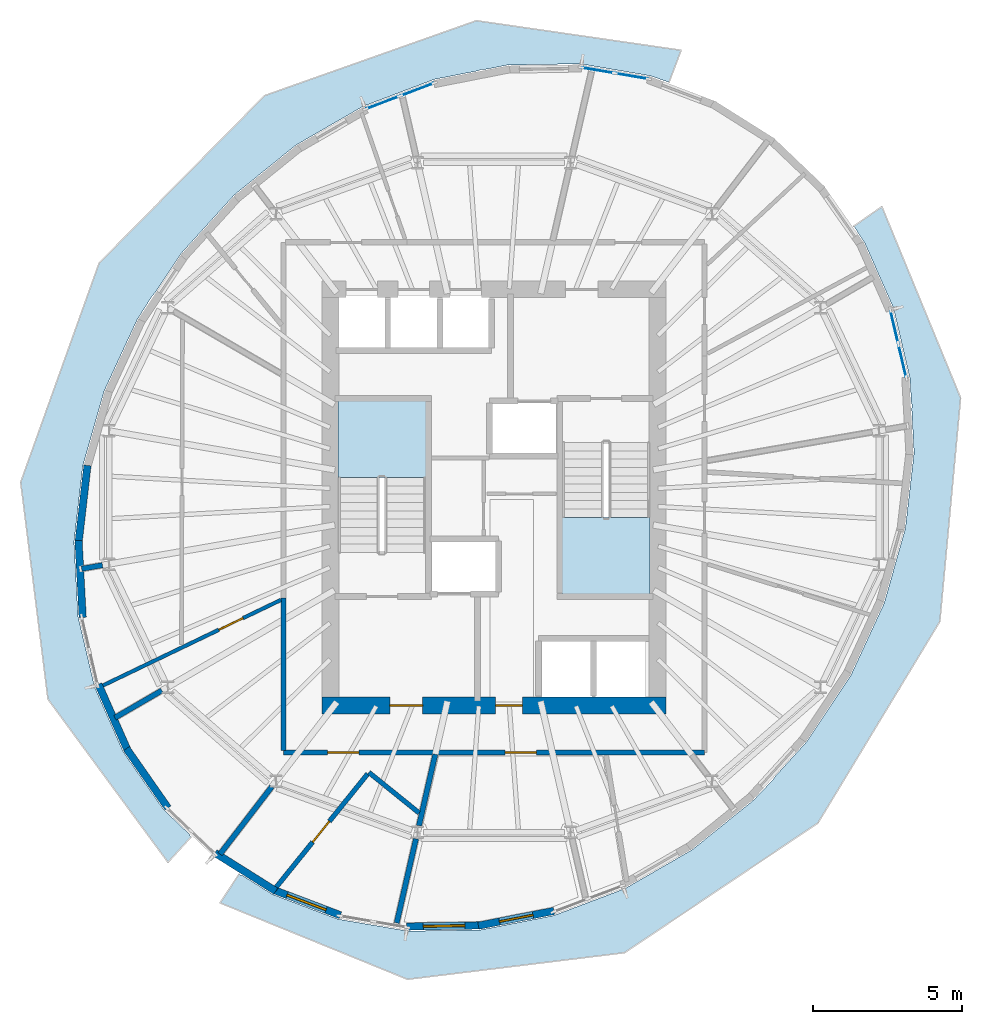
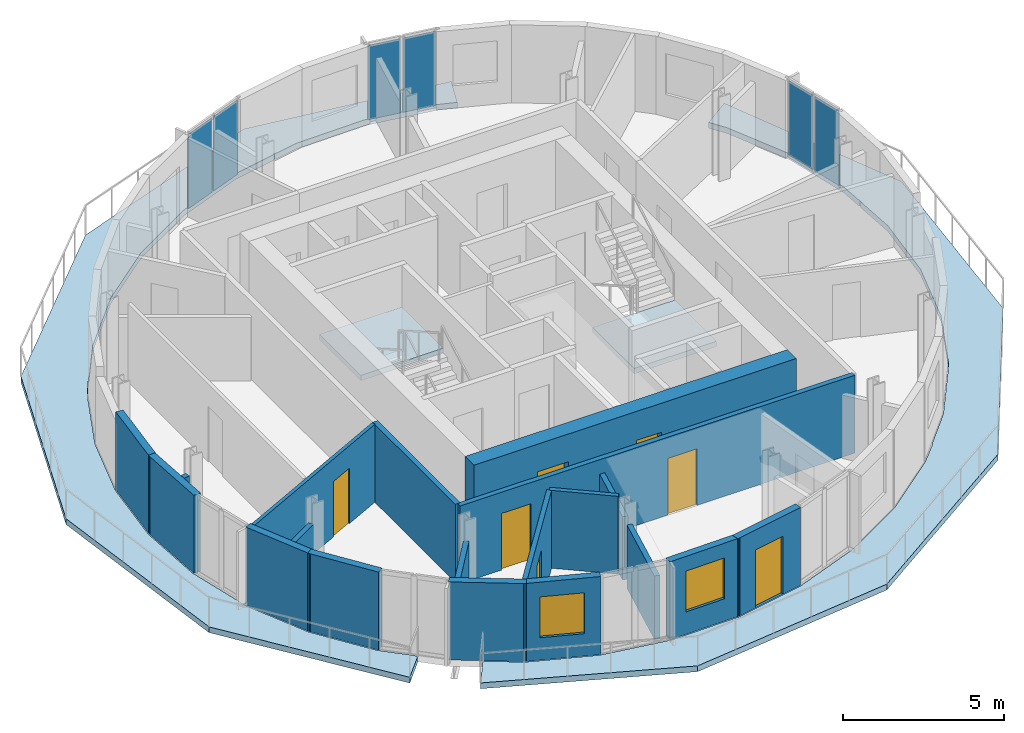
# One storey, part 4 of 11: 19 walls, 7 doors, 6 plates, 4 slabs, 2 windows, 9 openings, 5 elements without a shape of their own.
"""IFC4 building model written with IfcOpenShell, lengths in metres."""

from ifc_helpers import new_model, si_unit, direction, frame, frame_2d, origin, origin_2d, place, context, subcontext, project, spatial, polyline, rectangle, outline, extrude, material, layer, layer_set, type_object, element, fill, aggregate, save


model = new_model("IFC4")

# Units and contexts
model_context = context("Model", 3, precision=1e-05, world=origin(), true_north=direction((0.0, 1.0)))
body_context = subcontext(model_context, "Body", "Model", "MODEL_VIEW")
ifc_project = project(units=[si_unit("LENGTHUNIT", "METRE"), si_unit("AREAUNIT", "SQUARE_METRE"), si_unit("VOLUMEUNIT", "CUBIC_METRE"), si_unit("PLANEANGLEUNIT", "RADIAN"), si_unit("MASSUNIT", "GRAM", prefix="KILO")], contexts=[model_context])

# Site, building, storey
site_placement = place(None, origin())
site = spatial("IfcSite", under=ifc_project, at=site_placement, CompositionType="ELEMENT")
building_placement = place(site_placement, origin())
building = spatial("IfcBuilding", under=site, at=building_placement, Name="Veldorim Arch Residences", CompositionType="ELEMENT")
storey_placement = place(building_placement, frame((0.0, 0.0, 207.840087890625)))
storey = spatial("IfcBuildingStorey", under=building, at=storey_placement, Name="L62", CompositionType="ELEMENT", Elevation=207.840087890625)

# Slabs
ifc_material_1 = material(Name="Concrete C40/50", Category="concrete")
ifc_layer_1 = layer(ifc_material_1, 0.219970703125, Name="Planted Crescent Cantilever Balcony Slab 220")
ifc_layer_set_1 = layer_set([ifc_layer_1], Name="Concrete C40/50")
slab_type_1 = type_object("IfcSlabType", Name="Planted Crescent Cantilever Balcony Slab 220", PredefinedType="FLOOR", material=ifc_layer_set_1)
slab_1_placement = place(storey_placement, frame((0.0, 0.0, -0.219970703125)))
element("IfcSlab", 1, at=slab_1_placement, inside=storey, type_object=slab_type_1, Name="L62 planted crescent balcony slab A", PredefinedType="FLOOR", context=body_context, shape_type="SweptSolid", body=[
    extrude(outline(polyline([(37.8857421875, 37.966064453125), (37.260009765625, 38.1806640625), (34.901611328125, 38.584228515625), (32.45556640625, 38.544921875), (31.6669921875, 38.390380859375), (31.571044921875, 38.39697265625), (31.454345703125, 38.348876953125), (29.99560546875, 38.063232421875), (27.596923828125, 37.15478515625), (25.331787109375, 35.846435546875), (23.26953125, 34.178466796875), (21.472412109375, 32.201416015625), (20.592529296875, 30.87548828125), (20.508056640625, 30.787353515625), (19.9951171875, 29.97509765625), (18.88232421875, 27.5673828125), (18.16796875, 25.051513671875), (17.87353515625, 22.503173828125), (18.008544921875, 20.000244140625), (18.568603515625, 17.61865234375), (19.537109375, 15.430908203125), (20.88427734375, 13.503173828125), (21.73681640625, 12.689208984375), (21.806396484375, 12.578369140625), (21.0322265625, 11.72802734375), (16.9970703125, 17.212646484375), (16.078369140625, 24.511962890625), (18.7177734375, 31.88525390625), (24.284912109375, 37.517333984375), (31.40771484375, 40.03662109375), (38.29248046875, 39.04150390625), (37.8857421875, 37.966064453125)])), origin(), (0.0, 0.0, 1.0), 0.219970703125),
])
slab_2_placement = place(storey_placement, frame((0.0, 0.0, -0.219970703125)))
element("IfcSlab", 2, at=slab_2_placement, inside=storey, type_object=slab_type_1, Name="L62 planted crescent balcony slab B", PredefinedType="FLOOR", context=body_context, shape_type="SweptSolid", body=[
    extrude(outline(polyline([(23.543701171875, 11.28173828125), (24.54150390625, 10.654052734375), (26.739990234375, 9.8193359375), (29.098388671875, 9.415771484375), (31.54443359375, 9.455078125), (34.00439453125, 9.936767578125), (36.403076171875, 10.84521484375), (38.668212890625, 12.153564453125), (40.73046875, 13.821533203125), (41.392333984375, 14.517578125), (41.45703125, 14.620849609375), (42.527587890625, 15.798583984375), (44.0048828125, 18.02490234375), (45.11767578125, 20.4326171875), (45.83203125, 22.948486328125), (46.12646484375, 25.496826171875), (46.04638671875, 26.981201171875), (46.064453125, 27.10595703125), (46.03466796875, 27.197265625), (45.991455078125, 27.999755859375), (45.431396484375, 30.38134765625), (44.462890625, 32.569091796875), (44.101806640625, 33.12353515625), (45.045166015625, 33.781005859375), (47.694091796875, 27.348876953125), (46.993896484375, 19.826171875), (42.894775390625, 13.05029296875), (36.391357421875, 8.6875), (29.089111328125, 7.79248046875), (22.783935546875, 10.36328125), (23.4189453125, 11.322021484375), (23.543701171875, 11.28173828125)])), origin(), (0.0, 0.0, 1.0), 0.219970703125),
])

# Stair, slab
ifc_material_2 = material(Name="Concrete C40/50", Category="concrete")
stair_type = type_object("IfcStairType", Name="Reinforced Concrete Dogleg Exit Staircase", PredefinedType="HALF_TURN_STAIR", material=ifc_material_2)
stair_1_placement = place(storey_placement, origin())
stair_1 = element("IfcStair", 3, at=stair_1_placement, inside=storey, type_object=stair_type, Name="L62 Exit Staircase ST-1", PredefinedType="HALF_TURN_STAIR")
ifc_material_3 = material(Name="Concrete C40/50", Category="concrete")
ifc_layer_2 = layer(ifc_material_3, 0.199951171875, Name="Reinforced Concrete Stair Landing 200")
ifc_layer_set_2 = layer_set([ifc_layer_2], Name="Concrete C40/50")
slab_type_2 = type_object("IfcSlabType", Name="Reinforced Concrete Stair Landing 200", PredefinedType="LANDING", material=ifc_layer_set_2)
slab_3_placement = place(storey_placement, frame((0.0, 0.0, 1.39990234375)))
slab_3 = element("IfcSlab", 4, at=slab_3_placement, type_object=slab_type_2, Name="ST-1 landing 1", PredefinedType="LANDING", context=body_context, shape_type="SweptSolid", body=[
    extrude(outline(polyline([(29.7099609375, 24.669921875), (29.7099609375, 27.25), (26.75, 27.25), (26.75, 24.669921875), (29.7099609375, 24.669921875)])), origin(), (0.0, 0.0, 1.0), 0.199951171875),
])
aggregate(stair_1, [slab_3])

stair_2_placement = place(storey_placement, origin())
stair_2 = element("IfcStair", 5, at=stair_2_placement, inside=storey, type_object=stair_type, Name="L62 Exit Staircase ST-2", PredefinedType="HALF_TURN_STAIR")
slab_4_placement = place(storey_placement, frame((0.0, 0.0, 1.39990234375)))
slab_4 = element("IfcSlab", 6, at=slab_4_placement, type_object=slab_type_2, Name="ST-2 landing 1", PredefinedType="LANDING", context=body_context, shape_type="SweptSolid", body=[
    extrude(outline(polyline([(34.2900390625, 23.330078125), (34.2900390625, 20.75), (37.25, 20.75), (37.25, 23.330078125), (34.2900390625, 23.330078125)])), origin(), (0.0, 0.0, 1.0), 0.199951171875),
])
aggregate(stair_2, [slab_4])

# Curtain wall, plates
ifc_material_4 = material(Name="Aluminium", Category="aluminium")
curtain_wall_type = type_object("IfcCurtainWallType", Name="Zone 4 High-Altitude Unitised Curtain Wall", PredefinedType="NOTDEFINED", material=ifc_material_4)
curtain_wall_1_placement = place(storey_placement, origin())
curtain_wall_1 = element("IfcCurtainWall", 7, at=curtain_wall_1_placement, inside=storey, type_object=curtain_wall_type, Name="L62 unitised curtain wall bay 03", PredefinedType="NOTDEFINED")
ifc_material_5 = material(Name="Laminated Low-E Glass", Category="glass")
ifc_layer_3 = layer(ifc_material_5, 0.030029296875, Name="Zone 4 High-Altitude Unitised Curtain Wall Glazing Panel 30")
ifc_layer_set_3 = layer_set([ifc_layer_3], Name="Laminated Low-E Glass")
plate_type = type_object("IfcPlateType", Name="Zone 4 High-Altitude Unitised Curtain Wall Glazing Panel 30", PredefinedType="CURTAIN_PANEL", material=ifc_layer_set_3)
plate_1_placement = place(storey_placement, frame((35.491455078125, 38.36669921875, 0.074951171875), z_axis=(0.0, 0.0, 1.0), x_axis=(0.985662279445, -0.168730171812, 0.0)))
plate_1 = element("IfcPlate", 8, at=plate_1_placement, type_object=plate_type, Name="CW-Z4 panel 1.1", PredefinedType="CURTAIN_PANEL", context=body_context, shape_type="SweptSolid", body=[
    extrude(rectangle(XDim=1.081298828125, YDim=0.030029296875, at=origin_2d()), origin(), (0.0, 0.0, 1.0), 2.81005859375),
])
plate_2_placement = place(storey_placement, frame((36.63134765625, 38.171630859375, 0.074951171875), z_axis=(0.0, 0.0, 1.0), x_axis=(0.985662279445, -0.168730171812, 0.0)))
plate_2 = element("IfcPlate", 9, at=plate_2_placement, type_object=plate_type, Name="CW-Z4 panel 2.1", PredefinedType="CURTAIN_PANEL", context=body_context, shape_type="SweptSolid", body=[
    extrude(rectangle(XDim=1.081298828125, YDim=0.030029296875, at=origin_2d()), origin(), (0.0, 0.0, 1.0), 2.81005859375),
])
aggregate(curtain_wall_1, [plate_1, plate_2])

curtain_wall_2_placement = place(storey_placement, origin())
curtain_wall_2 = element("IfcCurtainWall", 10, at=curtain_wall_2_placement, inside=storey, type_object=curtain_wall_type, Name="L62 unitised curtain wall bay 06", PredefinedType="NOTDEFINED")
plate_3_placement = place(storey_placement, frame((28.255859375, 37.28125, 0.074951171875), z_axis=(0.0, 0.0, 1.0), x_axis=(0.935154153631, 0.354241032275, 0.0)))
plate_3 = element("IfcPlate", 11, at=plate_3_placement, type_object=plate_type, Name="CW-Z4 panel 1.1", PredefinedType="CURTAIN_PANEL", context=body_context, shape_type="SweptSolid", body=[
    extrude(rectangle(XDim=1.16796875, YDim=0.030029296875, at=origin_2d()), origin(), (0.0, 0.0, 1.0), 2.81005859375),
])
plate_4_placement = place(storey_placement, frame((29.418212890625, 37.7216796875, 0.074951171875), z_axis=(0.0, 0.0, 1.0), x_axis=(0.935154153631, 0.354241032275, 0.0)))
plate_4 = element("IfcPlate", 12, at=plate_4_placement, type_object=plate_type, Name="CW-Z4 panel 2.1", PredefinedType="CURTAIN_PANEL", context=body_context, shape_type="SweptSolid", body=[
    extrude(rectangle(XDim=1.16796875, YDim=0.030029296875, at=origin_2d()), origin(), (0.0, 0.0, 1.0), 2.81005859375),
])
aggregate(curtain_wall_2, [plate_3, plate_4])

curtain_wall_3_placement = place(storey_placement, origin())
curtain_wall_3 = element("IfcCurtainWall", 13, at=curtain_wall_3_placement, inside=storey, type_object=curtain_wall_type, Name="L62 unitised curtain wall bay 33", PredefinedType="NOTDEFINED")
plate_5_placement = place(storey_placement, frame((45.464111328125, 29.740234375, 0.074951171875), z_axis=(0.0, 0.0, 1.0), x_axis=(0.228906951032, -0.973448307703, 0.0)))
plate_5 = element("IfcPlate", 14, at=plate_5_placement, type_object=plate_type, Name="CW-Z4 panel 1.1", PredefinedType="CURTAIN_PANEL", context=body_context, shape_type="SweptSolid", body=[
    extrude(rectangle(XDim=1.1083984375, YDim=0.030029296875, at=origin_2d()), origin(), (0.0, 0.0, 1.0), 2.81005859375),
])
plate_6_placement = place(storey_placement, frame((45.73486328125, 28.588134765625, 0.074951171875), z_axis=(0.0, 0.0, 1.0), x_axis=(0.228906951032, -0.973448307703, 0.0)))
plate_6 = element("IfcPlate", 15, at=plate_6_placement, type_object=plate_type, Name="CW-Z4 panel 2.1", PredefinedType="CURTAIN_PANEL", context=body_context, shape_type="SweptSolid", body=[
    extrude(rectangle(XDim=1.1083984375, YDim=0.030029296875, at=origin_2d()), origin(), (0.0, 0.0, 1.0), 2.81005859375),
])
aggregate(curtain_wall_3, [plate_5, plate_6])

# Wall, opening, door
ifc_material_6 = material(Name="Acoustic Gypsum Board", Category="gypsum")
ifc_layer_4 = layer(ifc_material_6, 0.125, Name="Acoustic Stud Room Partition Wall 125")
ifc_layer_set_4 = layer_set([ifc_layer_4], Name="Acoustic Gypsum Board")
wall_type_1 = type_object("IfcWallType", Name="Acoustic Stud Room Partition Wall 125", PredefinedType="PARTITIONING", material=ifc_layer_set_4)
wall_1_placement = place(storey_placement, frame((18.7451171875, 17.62744140625, 0.0), z_axis=(0.0, 0.0, 1.0), x_axis=(0.901255411719, 0.433288221451, 0.0)))
wall_1 = element("IfcWall", 16, at=wall_1_placement, inside=storey, type_object=wall_type_1, Name="L62 interior wall WL-RES-L62-022", PredefinedType="PARTITIONING", context=body_context, shape_type="SweptSolid", body=[
    extrude(rectangle(XDim=6.75146484375, YDim=0.125, at=frame_2d((3.375732421875, 0.0))), origin(), (0.0, 0.0, 1.0), 2.954833984375),
])
opening_1_placement = place(wall_1_placement, frame((4.436767578125, 0.0, 0.0)))
opening_1 = element("IfcOpeningElement", 17, at=opening_1_placement, cuts=wall_1, Name="Opening DR-INT", PredefinedType="OPENING", context=body_context, shape_type="SweptSolid", body=[
    extrude(rectangle(XDim=0.89990234375, YDim=2.10009765625, at=frame_2d((0.449951171875, 1.050048828125))), frame((0.0, 0.072509765625, 0.0), z_axis=(0.0, -1.0, 0.0), x_axis=(1.0, 0.0, 0.0)), (0.0, 0.0, 1.0), 0.14501953125),
])
ifc_material_7 = material(Name="Engineered Timber", Category="wood")
door_type_1 = type_object("IfcDoorType", Name="Apartment Internal Room Timber Door 900x2100", OperationType="SINGLE_SWING_LEFT", PredefinedType="DOOR", material=ifc_material_7)
door_1_placement = place(opening_1_placement, origin())
door_1 = element("IfcDoor", 18, at=door_1_placement, inside=storey, type_object=door_type_1, Name="L62 interior door DR-RES-L62-014", OperationType="SINGLE_SWING_RIGHT", OverallHeight=2.10009765625, OverallWidth=0.89990234375, PredefinedType="DOOR", context=body_context, shape_type="SweptSolid", body=[
    extrude(rectangle(XDim=0.89990234375, YDim=2.10009765625, at=frame_2d((0.449951171875, 1.050048828125))), frame((0.0, 0.02490234375, 0.0), z_axis=(0.0, -1.0, 0.0), x_axis=(1.0, 0.0, 0.0)), (0.0, 0.0, 1.0), 0.050048828125),
])
fill(opening_1, door_1)

# Walls
ifc_material_8 = material(Name="Lightweight Masonry Block & Gypsum", Category="masonry")
ifc_layer_5 = layer(ifc_material_8, 0.179931640625, Name="Compartment & Corridor Fire-Rated Party Wall 180")
ifc_layer_set_5 = layer_set([ifc_layer_5], Name="Lightweight Masonry Block & Gypsum")
wall_type_2 = type_object("IfcWallType", Name="Compartment & Corridor Fire-Rated Party Wall 180", PredefinedType="PARTITIONING", material=ifc_layer_set_5)
wall_2_placement = place(storey_placement, frame((18.827392578125, 21.72119140625, 0.0), z_axis=(0.0, 0.0, 1.0), x_axis=(-0.985352727868, -0.170528594914, 0.0)))
element("IfcWall", 19, at=wall_2_placement, inside=storey, type_object=wall_type_2, Name="L62 interior wall WL-PIER-L62-09", PredefinedType="PARTITIONING", context=body_context, shape_type="SweptSolid", body=[
    extrude(rectangle(XDim=0.710205078125, YDim=0.179931640625, at=frame_2d((0.35498046875, 0.0))), origin(), (0.0, 0.0, 1.0), 2.4033203125),
])
wall_3_placement = place(storey_placement, frame((20.826171875, 17.5068359375, 0.0), z_axis=(0.0, 0.0, 1.0), x_axis=(-0.864597744878, -0.502464664979, 0.0)))
element("IfcWall", 20, at=wall_3_placement, inside=storey, type_object=wall_type_2, Name="L62 interior wall WL-PIER-L62-10", PredefinedType="PARTITIONING", context=body_context, shape_type="SweptSolid", body=[
    extrude(rectangle(XDim=1.824951171875, YDim=0.179931640625, at=frame_2d((0.91259765625, 0.0))), origin(), (0.0, 0.0, 1.0), 2.4033203125),
])
wall_4_placement = place(storey_placement, frame((24.526611328125, 14.272705078125, 0.0), z_axis=(0.0, 0.0, 1.0), x_axis=(-0.609211911664, -0.793007469502, 0.0)))
element("IfcWall", 21, at=wall_4_placement, inside=storey, type_object=wall_type_2, Name="L62 interior wall WL-PIER-L62-11", PredefinedType="PARTITIONING", context=body_context, shape_type="SweptSolid", body=[
    extrude(rectangle(XDim=2.862548828125, YDim=0.179931640625, at=frame_2d((1.43115234375, 0.0))), origin(), (0.0, 0.0, 1.0), 2.4033203125),
])
wall_5_placement = place(storey_placement, frame((29.37353515625, 12.516845703125, 0.0), z_axis=(0.0, 0.0, 1.0), x_axis=(-0.22289331625, -0.974842843525, 0.0)))
element("IfcWall", 22, at=wall_5_placement, inside=storey, type_object=wall_type_2, Name="L62 interior wall WL-PIER-L62-12", PredefinedType="PARTITIONING", context=body_context, shape_type="SweptSolid", body=[
    extrude(rectangle(XDim=2.902587890625, YDim=0.179931640625, at=frame_2d((1.451171875, 0.0))), origin(), (0.0, 0.0, 1.0), 2.4033203125),
])

# Wall, openings, doors
wall_6_placement = place(storey_placement, frame((39.080078125, 15.419921875, 0.0), z_axis=(0.0, 0.0, 1.0), x_axis=(-1.0, 0.0, 0.0)))
wall_6 = element("IfcWall", 23, at=wall_6_placement, inside=storey, type_object=wall_type_2, Name="L62 interior wall WL-RES-L62-001", PredefinedType="PARTITIONING", context=body_context, shape_type="SweptSolid", body=[
    extrude(rectangle(XDim=14.16015625, YDim=0.179931640625, at=frame_2d((7.080078125, 0.0))), origin(), (0.0, 0.0, 1.0), 2.954833984375),
])
opening_2_placement = place(wall_6_placement, frame((5.658203125, 0.0, 0.0)))
opening_2 = element("IfcOpeningElement", 24, at=opening_2_placement, cuts=wall_6, Name="Opening DR-FLT", PredefinedType="OPENING", context=body_context, shape_type="SweptSolid", body=[
    extrude(rectangle(XDim=1.050048828125, YDim=2.14990234375, at=frame_2d((0.52490234375, 1.074951171875))), frame((0.0, 0.099853515625, 0.0), z_axis=(0.0, -1.0, 0.0), x_axis=(1.0, 0.0, 0.0)), (0.0, 0.0, 1.0), 0.199951171875),
])
opening_3_placement = place(wall_6_placement, frame((11.626220703125, 0.0, 0.0)))
opening_3 = element("IfcOpeningElement", 25, at=opening_3_placement, cuts=wall_6, Name="Opening DR-FLT", PredefinedType="OPENING", context=body_context, shape_type="SweptSolid", body=[
    extrude(rectangle(XDim=1.050048828125, YDim=2.14990234375, at=frame_2d((0.52490234375, 1.074951171875))), frame((0.0, 0.099853515625, 0.0), z_axis=(0.0, -1.0, 0.0), x_axis=(1.0, 0.0, 0.0)), (0.0, 0.0, 1.0), 0.199951171875),
])
ifc_material_9 = material(Name="Fire-Rated Timber", Category="wood")
door_type_2 = type_object("IfcDoorType", Name="Apartment Entrance Solid-Core Fire Door 1050x2150", OperationType="SINGLE_SWING_LEFT", PredefinedType="DOOR", material=ifc_material_9)
door_2_placement = place(opening_2_placement, origin())
door_2 = element("IfcDoor", 26, at=door_2_placement, inside=storey, type_object=door_type_2, Name="L62 interior door DR-RES-L62-001", OperationType="SINGLE_SWING_LEFT", OverallHeight=2.14990234375, OverallWidth=1.050048828125, PredefinedType="DOOR", context=body_context, shape_type="SweptSolid", body=[
    extrude(rectangle(XDim=1.050048828125, YDim=2.14990234375, at=frame_2d((0.52490234375, 1.074951171875))), frame((0.0, 0.02490234375, 0.0), z_axis=(0.0, -1.0, 0.0), x_axis=(1.0, 0.0, 0.0)), (0.0, 0.0, 1.0), 0.050048828125),
])
fill(opening_2, door_2)
door_3_placement = place(opening_3_placement, origin())
door_3 = element("IfcDoor", 27, at=door_3_placement, inside=storey, type_object=door_type_2, Name="L62 interior door DR-RES-L62-012", OperationType="SINGLE_SWING_RIGHT", OverallHeight=2.14990234375, OverallWidth=1.050048828125, PredefinedType="DOOR", context=body_context, shape_type="SweptSolid", body=[
    extrude(rectangle(XDim=1.050048828125, YDim=2.14990234375, at=frame_2d((0.52490234375, 1.074951171875))), frame((0.0, 0.02490234375, 0.0), z_axis=(0.0, -1.0, 0.0), x_axis=(1.0, 0.0, 0.0)), (0.0, 0.0, 1.0), 0.050048828125),
])
fill(opening_3, door_3)

# Walls
wall_7_placement = place(storey_placement, frame((24.919921875, 15.47998046875, 0.0), z_axis=(0.0, 0.0, 1.0), x_axis=(0.0, 1.0, 0.0)))
element("IfcWall", 28, at=wall_7_placement, inside=storey, type_object=wall_type_2, Name="L62 interior wall WL-RES-L62-007", PredefinedType="PARTITIONING", context=body_context, shape_type="SweptSolid", body=[
    extrude(rectangle(XDim=5.13623046875, YDim=0.179931640625, at=frame_2d((2.568115234375, 0.0))), origin(), (0.0, 0.0, 1.0), 2.954833984375),
])
wall_8_placement = place(storey_placement, frame((29.474853515625, 12.95947265625, 0.0), z_axis=(0.0, 0.0, 1.0), x_axis=(0.222927030412, 0.974835134323, 0.0)))
element("IfcWall", 29, at=wall_8_placement, inside=storey, type_object=wall_type_2, Name="L62 interior wall WL-RES-L62-009", PredefinedType="PARTITIONING", context=body_context, shape_type="SweptSolid", body=[
    extrude(rectangle(XDim=2.464111328125, YDim=0.179931640625, at=frame_2d((1.23193359375, 0.0))), origin(), (0.0, 0.0, 1.0), 2.4033203125),
])
ifc_material_10 = material(Name="Precast concrete C40/50", Category="concrete")
ifc_layer_6 = layer(ifc_material_10, 0.25, Name="Tower Terracotta Spandrel & Pier Wall 250")
ifc_layer_set_6 = layer_set([ifc_layer_6], Name="Precast concrete C40/50")
wall_type_3 = type_object("IfcWallType", Name="Tower Terracotta Spandrel & Pier Wall 250", PredefinedType="SOLIDWALL", material=ifc_layer_set_6)
wall_9_placement = place(storey_placement, frame((18.017578125, 22.443359375, 0.0), z_axis=(0.0, 0.0, 1.0), x_axis=(0.114746448117, 0.993394812068, 0.0)))
element("IfcWall", 30, at=wall_9_placement, inside=storey, type_object=wall_type_3, Name="L62 terracotta facade wall 13", PredefinedType="SOLIDWALL", context=body_context, shape_type="SweptSolid", body=[
    extrude(rectangle(XDim=2.651123046875, YDim=0.25, at=frame_2d((1.32568359375, 0.0))), origin(), (0.0, 0.0, 1.0), 2.9599609375),
])
wall_10_placement = place(storey_placement, frame((18.16064453125, 19.965576171875, 0.0), z_axis=(0.0, 0.0, 1.0), x_axis=(-0.053868666674, 0.998548029266, 0.0)))
element("IfcWall", 31, at=wall_10_placement, inside=storey, type_object=wall_type_3, Name="L62 terracotta facade wall 14", PredefinedType="SOLIDWALL", context=body_context, shape_type="SweptSolid", body=[
    extrude(rectangle(XDim=2.59228515625, YDim=0.25, at=frame_2d((1.296142578125, 0.0))), origin(), (0.0, 0.0, 1.0), 2.9599609375),
])
wall_11_placement = place(storey_placement, frame((19.69140625, 15.452392578125, 0.0), z_axis=(0.0, 0.0, 1.0), x_axis=(-0.404748462651, 0.91442806277, 0.0)))
element("IfcWall", 32, at=wall_11_placement, inside=storey, type_object=wall_type_3, Name="L62 terracotta facade wall 16", PredefinedType="SOLIDWALL", context=body_context, shape_type="SweptSolid", body=[
    extrude(rectangle(XDim=2.47802734375, YDim=0.25, at=frame_2d((1.239013671875, 0.0))), origin(), (0.0, 0.0, 1.0), 2.9599609375),
])
wall_12_placement = place(storey_placement, frame((21.031494140625, 13.55419921875, 0.0), z_axis=(0.0, 0.0, 1.0), x_axis=(-0.572877205554, 0.819641206478, 0.0)))
element("IfcWall", 33, at=wall_12_placement, inside=storey, type_object=wall_type_3, Name="L62 terracotta facade wall 17", PredefinedType="SOLIDWALL", context=body_context, shape_type="SweptSolid", body=[
    extrude(rectangle(XDim=2.436767578125, YDim=0.25, at=frame_2d((1.21826171875, 0.0))), origin(), (0.0, 0.0, 1.0), 2.9599609375),
])
wall_13_placement = place(storey_placement, frame((24.6572265625, 10.75830078125, 0.0), z_axis=(0.0, 0.0, 1.0), x_axis=(-0.846426943671, 0.532504862914, 0.0)))
element("IfcWall", 34, at=wall_13_placement, inside=storey, type_object=wall_type_3, Name="L62 terracotta facade wall 19", PredefinedType="SOLIDWALL", context=body_context, shape_type="SweptSolid", body=[
    extrude(rectangle(XDim=2.414794921875, YDim=0.25, at=frame_2d((1.20751953125, 0.0))), origin(), (0.0, 0.0, 1.0), 2.9599609375),
])

# Wall, opening, window
wall_14_placement = place(storey_placement, frame((26.8330078125, 9.944580078125, 0.0), z_axis=(0.0, 0.0, 1.0), x_axis=(-0.934909280934, 0.354886793813, 0.0)))
wall_14 = element("IfcWall", 35, at=wall_14_placement, inside=storey, type_object=wall_type_3, Name="L62 terracotta facade wall 20", PredefinedType="SOLIDWALL", context=body_context, shape_type="SweptSolid", body=[
    extrude(rectangle(XDim=2.436767578125, YDim=0.25, at=frame_2d((1.21826171875, 0.0))), origin(), (0.0, 0.0, 1.0), 2.9599609375),
])
opening_4_placement = place(wall_14_placement, frame((0.51806640625, 0.0, 0.85009765625)))
opening_4 = element("IfcOpeningElement", 36, at=opening_4_placement, cuts=wall_14, Name="Opening WN-02", PredefinedType="OPENING", context=body_context, shape_type="SweptSolid", body=[
    extrude(rectangle(XDim=1.39990234375, YDim=1.550048828125, at=frame_2d((0.699951171875, 0.77490234375))), frame((0.0, 0.135009765625, 0.0), z_axis=(0.0, -1.0, 0.0), x_axis=(1.0, 0.0, 0.0)), (0.0, 0.0, 1.0), 0.27001953125),
])
ifc_material_11 = material(Name="Laminated Low-E Glass", Category="glass")
window_type = type_object("IfcWindowType", Name="Residential Casement Window 1400x1550", PartitioningType="SINGLE_PANEL", PredefinedType="WINDOW", material=ifc_material_11)
window_1_placement = place(opening_4_placement, origin())
window_1 = element("IfcWindow", 37, at=window_1_placement, inside=storey, type_object=window_type, Name="L62 solar-control facade window 20", OverallHeight=1.550048828125, OverallWidth=1.39990234375, PartitioningType="SINGLE_PANEL", PredefinedType="WINDOW", context=body_context, shape_type="SweptSolid", body=[
    extrude(rectangle(XDim=1.39990234375, YDim=1.550048828125, at=frame_2d((0.699951171875, 0.77490234375))), frame((0.0, 0.030029296875, 0.0), z_axis=(0.0, -1.0, 0.0), x_axis=(1.0, 0.0, 0.0)), (0.0, 0.0, 1.0), 0.06005859375),
])
fill(opening_4, window_1)

wall_15_placement = place(storey_placement, frame((31.5849609375, 9.60595703125, 0.0), z_axis=(0.0, 0.0, 1.0), x_axis=(-0.999868796453, -0.016198453019, 0.0)))
wall_15 = element("IfcWall", 38, at=wall_15_placement, inside=storey, type_object=wall_type_3, Name="L62 terracotta facade wall 22", PredefinedType="SOLIDWALL", context=body_context, shape_type="SweptSolid", body=[
    extrude(rectangle(XDim=2.531982421875, YDim=0.25, at=frame_2d((1.26611328125, 0.0))), origin(), (0.0, 0.0, 1.0), 2.9599609375),
])
opening_5_placement = place(wall_15_placement, frame((0.56591796875, 0.0, 0.85009765625)))
opening_5 = element("IfcOpeningElement", 39, at=opening_5_placement, cuts=wall_15, Name="Opening WN-02", PredefinedType="OPENING", context=body_context, shape_type="SweptSolid", body=[
    extrude(rectangle(XDim=1.39990234375, YDim=1.550048828125, at=frame_2d((0.699951171875, 0.77490234375))), frame((0.0, 0.135009765625, 0.0), z_axis=(0.0, -1.0, 0.0), x_axis=(1.0, 0.0, 0.0)), (0.0, 0.0, 1.0), 0.27001953125),
])
window_2_placement = place(opening_5_placement, origin())
window_2 = element("IfcWindow", 40, at=window_2_placement, inside=storey, type_object=window_type, Name="L62 solar-control facade window 22", OverallHeight=1.550048828125, OverallWidth=1.39990234375, PartitioningType="SINGLE_PANEL", PredefinedType="WINDOW", context=body_context, shape_type="SweptSolid", body=[
    extrude(rectangle(XDim=1.39990234375, YDim=1.550048828125, at=frame_2d((0.699951171875, 0.77490234375))), frame((0.0, 0.030029296875, 0.0), z_axis=(0.0, -1.0, 0.0), x_axis=(1.0, 0.0, 0.0)), (0.0, 0.0, 1.0), 0.06005859375),
])
fill(opening_5, window_2)

# Wall, opening, door
wall_16_placement = place(storey_placement, frame((34.017578125, 10.092041015625, 0.0), z_axis=(0.0, 0.0, 1.0), x_axis=(-0.981387252987, -0.1920392139, 0.0)))
wall_16 = element("IfcWall", 41, at=wall_16_placement, inside=storey, type_object=wall_type_3, Name="L62 terracotta facade wall 23", PredefinedType="SOLIDWALL", context=body_context, shape_type="SweptSolid", body=[
    extrude(rectangle(XDim=2.59228515625, YDim=0.25, at=frame_2d((1.296142578125, 0.0))), origin(), (0.0, 0.0, 1.0), 2.9599609375),
])
opening_6_placement = place(wall_16_placement, frame((0.720947265625, 0.0, 0.0)))
opening_6 = element("IfcOpeningElement", 42, at=opening_6_placement, cuts=wall_16, Name="Opening BL-DR", PredefinedType="OPENING", context=body_context, shape_type="SweptSolid", body=[
    extrude(rectangle(XDim=1.14990234375, YDim=2.199951171875, at=frame_2d((0.574951171875, 1.10009765625))), frame((0.0, 0.135009765625, 0.0), z_axis=(0.0, -1.0, 0.0), x_axis=(1.0, 0.0, 0.0)), (0.0, 0.0, 1.0), 0.27001953125),
])
ifc_material_12 = material(Name="Aluminium & Low-E Glass", Category="aluminium")
door_type_3 = type_object("IfcDoorType", Name="Glazed Planted Balcony Door 1150x2200", OperationType="SINGLE_SWING_LEFT", PredefinedType="DOOR", material=ifc_material_12)
door_4_placement = place(opening_6_placement, origin())
door_4 = element("IfcDoor", 43, at=door_4_placement, inside=storey, type_object=door_type_3, Name="L62 glazed outdoor terrace door BALC-2", OperationType="SINGLE_SWING_LEFT", OverallHeight=2.199951171875, OverallWidth=1.14990234375, PredefinedType="DOOR", context=body_context, shape_type="SweptSolid", body=[
    extrude(rectangle(XDim=1.14990234375, YDim=2.199951171875, at=frame_2d((0.574951171875, 1.10009765625))), frame((0.0, 0.02490234375, 0.0), z_axis=(0.0, -1.0, 0.0), x_axis=(1.0, 0.0, 0.0)), (0.0, 0.0, 1.0), 0.050048828125),
])
fill(opening_6, door_4)

# Wall, openings, doors
ifc_material_13 = material(Name="Concrete C50/60", Category="concrete")
ifc_layer_7 = layer(ifc_material_13, 0.5, Name="Upper Central Core Shear Wall 560")
ifc_layer_set_7 = layer_set([ifc_layer_7], Name="Concrete C50/60")
wall_type_4 = type_object("IfcWallType", Name="Upper Central Core Shear Wall 560", PredefinedType="SHEAR", material=ifc_layer_set_7)
wall_17_placement = place(storey_placement, frame((26.219970703125, 17.0, 0.0), z_axis=(0.0, 0.0, 1.0), x_axis=(1.0, 0.0, 0.0)))
wall_17 = element("IfcWall", 44, at=wall_17_placement, inside=storey, type_object=wall_type_4, Name="L62 central core south shear wall", PredefinedType="SHEAR", context=body_context, shape_type="SweptSolid", body=[
    extrude(rectangle(XDim=11.56005859375, YDim=0.56005859375, at=frame_2d((5.780029296875, 0.0))), origin(), (0.0, 0.0, 1.0), 3.199951171875),
])
opening_7_placement = place(wall_17_placement, frame((2.280029296875, 0.0, 0.0)))
opening_7 = element("IfcOpeningElement", 45, at=opening_7_placement, cuts=wall_17, Name="Opening DR-FFL", PredefinedType="OPENING", context=body_context, shape_type="SweptSolid", body=[
    extrude(rectangle(XDim=1.10009765625, YDim=2.14990234375, at=frame_2d((0.550048828125, 1.074951171875))), frame((0.0, 0.2900390625, 0.0), z_axis=(0.0, -1.0, 0.0), x_axis=(1.0, 0.0, 0.0)), (0.0, 0.0, 1.0), 0.580078125),
])
opening_8_placement = place(wall_17_placement, frame((5.830078125, 0.0, 0.0)))
opening_8 = element("IfcOpeningElement", 46, at=opening_8_placement, cuts=wall_17, Name="Opening DR-SVC", PredefinedType="OPENING", context=body_context, shape_type="SweptSolid", body=[
    extrude(rectangle(XDim=0.89990234375, YDim=2.10009765625, at=frame_2d((0.449951171875, 1.050048828125))), frame((0.0, 0.2900390625, 0.0), z_axis=(0.0, -1.0, 0.0), x_axis=(1.0, 0.0, 0.0)), (0.0, 0.0, 1.0), 0.580078125),
])
ifc_material_14 = material(Name="Fire-Rated Steel & Vision Glass", Category="steel")
door_type_4 = type_object("IfcDoorType", Name="Firefighting Lobby Smoke-Stop Fire Door 1100x2150", OperationType="SINGLE_SWING_LEFT", PredefinedType="DOOR", material=ifc_material_14)
door_5_placement = place(opening_7_placement, origin())
door_5 = element("IfcDoor", 47, at=door_5_placement, inside=storey, type_object=door_type_4, Name="L62 interior door DR-L62-FFL1", OperationType="SINGLE_SWING_RIGHT", OverallHeight=2.14990234375, OverallWidth=1.10009765625, PredefinedType="DOOR", context=body_context, shape_type="SweptSolid", body=[
    extrude(rectangle(XDim=1.10009765625, YDim=2.14990234375, at=frame_2d((0.550048828125, 1.074951171875))), frame((0.0, 0.02490234375, 0.0), z_axis=(0.0, -1.0, 0.0), x_axis=(1.0, 0.0, 0.0)), (0.0, 0.0, 1.0), 0.050048828125),
])
fill(opening_7, door_5)
ifc_material_15 = material(Name="Fire-Rated Steel", Category="steel")
door_type_5 = type_object("IfcDoorType", Name="Riser, Shelter & Plant Room Rated Steel Door 900x2100", OperationType="SINGLE_SWING_LEFT", PredefinedType="DOOR", material=ifc_material_15)
door_6_placement = place(opening_8_placement, origin())
door_6 = element("IfcDoor", 48, at=door_6_placement, inside=storey, type_object=door_type_5, Name="L62 interior door DR-L62-COR-ANC", OperationType="SINGLE_SWING_LEFT", OverallHeight=2.10009765625, OverallWidth=0.89990234375, PredefinedType="DOOR", context=body_context, shape_type="SweptSolid", body=[
    extrude(rectangle(XDim=0.89990234375, YDim=2.10009765625, at=frame_2d((0.449951171875, 1.050048828125))), frame((0.0, 0.02490234375, 0.0), z_axis=(0.0, -1.0, 0.0), x_axis=(1.0, 0.0, 0.0)), (0.0, 0.0, 1.0), 0.050048828125),
])
fill(opening_8, door_6)

# Wall
ifc_material_16 = material(Name="Moisture-Resistant Gypsum & Stud", Category="gypsum")
ifc_layer_8 = layer(ifc_material_16, 0.159912109375, Name="Wet-Area Moisture-Resistant Plumbing Wall 160")
ifc_layer_set_8 = layer_set([ifc_layer_8], Name="Moisture-Resistant Gypsum & Stud")
wall_type_5 = type_object("IfcWallType", Name="Wet-Area Moisture-Resistant Plumbing Wall 160", PredefinedType="PLUMBINGWALL", material=ifc_layer_set_8)
wall_18_placement = place(storey_placement, frame((29.48046875, 13.38720703125, 0.0), z_axis=(0.0, 0.0, 1.0), x_axis=(-0.778120709533, 0.628114767695, 0.0)))
element("IfcWall", 49, at=wall_18_placement, inside=storey, type_object=wall_type_5, Name="L62 interior wall WL-RES-L62-020", PredefinedType="PLUMBINGWALL", context=body_context, shape_type="SweptSolid", body=[
    extrude(rectangle(XDim=2.1728515625, YDim=0.159912109375, at=frame_2d((1.08642578125, 0.0))), origin(), (0.0, 0.0, 1.0), 2.954833984375),
])

# Wall, opening, door
wall_19_placement = place(storey_placement, frame((27.752197265625, 14.705078125, 0.0), z_axis=(0.0, 0.0, 1.0), x_axis=(-0.628089704981, -0.778140939996, 0.0)))
wall_19 = element("IfcWall", 50, at=wall_19_placement, inside=storey, type_object=wall_type_5, Name="L62 interior wall WL-RES-L62-021", PredefinedType="PLUMBINGWALL", context=body_context, shape_type="SweptSolid", body=[
    extrude(rectangle(XDim=5.008056640625, YDim=0.159912109375, at=frame_2d((2.50390625, 0.0))), origin(), (0.0, 0.0, 1.0), 2.954833984375),
])
opening_9_placement = place(wall_19_placement, frame((2.05419921875, 0.0, 0.0)))
opening_9 = element("IfcOpeningElement", 51, at=opening_9_placement, cuts=wall_19, Name="Opening DR-WC", PredefinedType="OPENING", context=body_context, shape_type="SweptSolid", body=[
    extrude(rectangle(XDim=0.89990234375, YDim=2.10009765625, at=frame_2d((0.449951171875, 1.050048828125))), frame((0.0, 0.08984375, 0.0), z_axis=(0.0, -1.0, 0.0), x_axis=(1.0, 0.0, 0.0)), (0.0, 0.0, 1.0), 0.179931640625),
])
ifc_material_17 = material(Name="Laminate Timber", Category="wood")
door_type_6 = type_object("IfcDoorType", Name="Bathroom & Accessible WC Moisture-Sealed Door 900x2100", OperationType="SINGLE_SWING_LEFT", PredefinedType="DOOR", material=ifc_material_17)
door_7_placement = place(opening_9_placement, origin())
door_7 = element("IfcDoor", 52, at=door_7_placement, inside=storey, type_object=door_type_6, Name="L62 interior door DR-RES-L62-013", OperationType="SINGLE_SWING_LEFT", OverallHeight=2.10009765625, OverallWidth=0.89990234375, PredefinedType="DOOR", context=body_context, shape_type="SweptSolid", body=[
    extrude(rectangle(XDim=0.89990234375, YDim=2.10009765625, at=frame_2d((0.449951171875, 1.050048828125))), frame((0.0, 0.02490234375, 0.0), z_axis=(0.0, -1.0, 0.0), x_axis=(1.0, 0.0, 0.0)), (0.0, 0.0, 1.0), 0.050048828125),
])
fill(opening_9, door_7)

save(model, "model.ifc")
